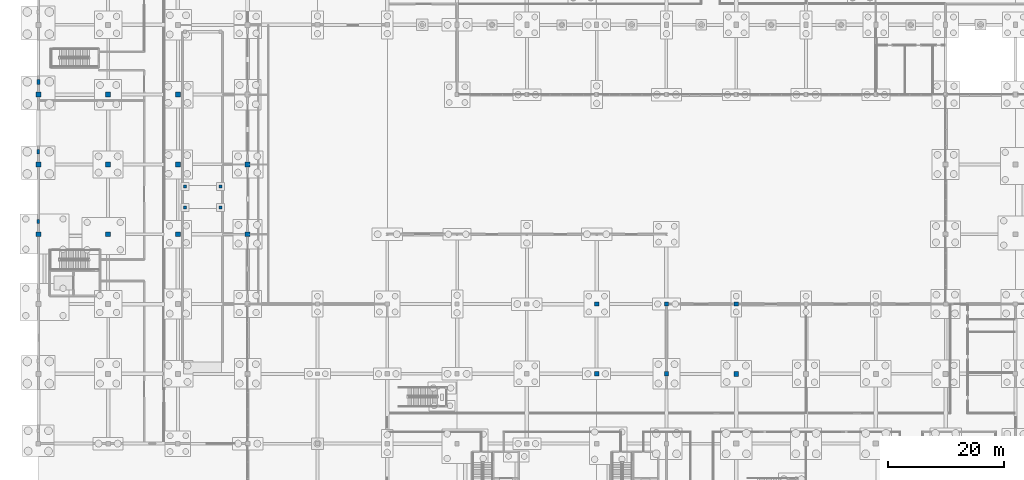
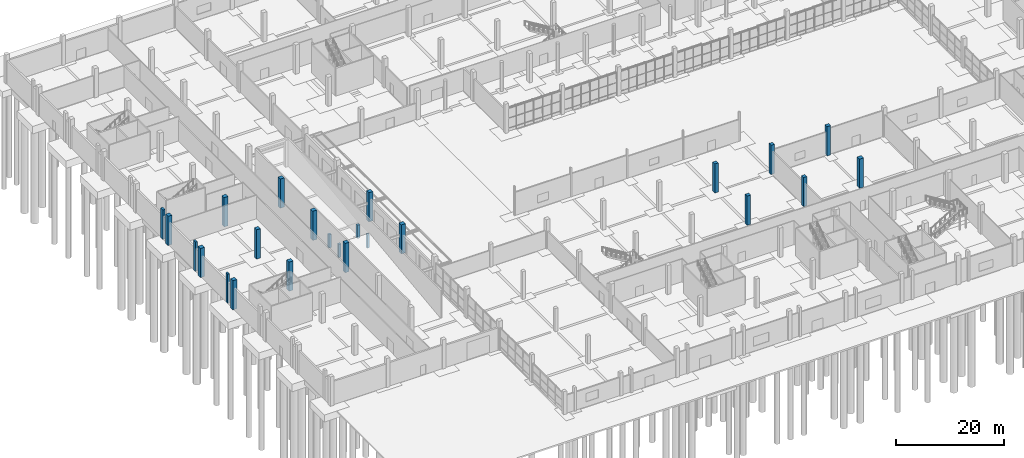
# One storey, part 17 of 117: 24 columns.
"""IFC4 building model written with IfcOpenShell, lengths in metres."""

from ifc_helpers import new_model, si_unit, direction, frame, origin, origin_2d, place, context, subcontext, project, spatial, rectangle, extrude, material, material_profile, profile_set, type_object, element, save


model = new_model("IFC4")

# Units and contexts
model_context = context("Model", 3, precision=1e-05, world=origin(), true_north=direction((0.0, 1.0)))
body_context = subcontext(model_context, "Body", "Model", "MODEL_VIEW")
ifc_project = project(units=[si_unit("LENGTHUNIT", "METRE"), si_unit("AREAUNIT", "SQUARE_METRE"), si_unit("VOLUMEUNIT", "CUBIC_METRE"), si_unit("PLANEANGLEUNIT", "RADIAN"), si_unit("MASSUNIT", "GRAM", prefix="KILO")], contexts=[model_context])

# Site, building, storey
site_placement = place(None, origin())
site = spatial("IfcSite", under=ifc_project, at=site_placement, CompositionType="ELEMENT")
building_placement = place(site_placement, origin())
building = spatial("IfcBuilding", under=site, at=building_placement, Name="Kamomehara Wholesale Market", CompositionType="ELEMENT")
storey_placement = place(building_placement, origin())
storey = spatial("IfcBuildingStorey", under=building, at=storey_placement, Name="L00", CompositionType="ELEMENT", Elevation=0.0)

# Columns
ifc_material_1 = material(Name="Precast concrete Fc45 (C40/50)", Category="concrete")
ifc_material_profile_1 = material_profile(ifc_material_1, rectangle(XDim=0.5, YDim=0.5, at=origin_2d()), Name="PC-COL-500x500")
ifc_profile_set_1 = profile_set([ifc_material_profile_1], Name="Precast concrete Fc45 (C40/50)")
column_type_1 = type_object("IfcColumnType", Name="COL-PC500", PredefinedType="COLUMN", material=ifc_profile_set_1)
for number, where, z_axis, x_axis, name in (
    (1, (25.199951171875, 76.60009765625, 0.0), (0.0, 0.0, 1.0), (1.0, 0.0, 0.0), "Vehicle ramp landing column 25.76"),
    (2, (25.199951171875, 80.199951171875, 0.0), (0.0, 0.0, 1.0), (1.0, 0.0, 0.0), "Vehicle ramp landing column 25.80"),
    (3, (31.300048828125, 76.60009765625, 0.0), (0.0, 0.0, 1.0), (1.0, 0.0, 0.0), "Vehicle ramp landing column 31.76"),
    (4, (31.300048828125, 80.199951171875, 0.0), (0.0, 0.0, 1.0), (1.0, 0.0, 0.0), "Vehicle ramp landing column 31.80"),
):
    element("IfcColumn", number, at=place(storey_placement, frame(where, z_axis=z_axis, x_axis=x_axis)), inside=storey, type_object=column_type_1, Name=name, PredefinedType="COLUMN", context=body_context, shape_type="SweptSolid", body=[
        extrude(rectangle(XDim=0.5, YDim=0.5, at=origin_2d()), origin(), (0.0, 0.0, 1.0), 3.0),
    ])
ifc_material_2 = material(Name="Precast concrete Fc45 (C40/50)", Category="concrete")
ifc_material_profile_2 = material_profile(ifc_material_2, rectangle(XDim=0.75, YDim=0.75, at=origin_2d()), Name="PC-COL-750x750")
ifc_profile_set_2 = profile_set([ifc_material_profile_2], Name="Precast concrete Fc45 (C40/50)")
column_type_2 = type_object("IfcColumnType", Name="COL-PC750-EXT", PredefinedType="COLUMN", material=ifc_profile_set_2)
for number, where, z_axis, x_axis, name in (
    (5, (96.0, 48.0, 0.0), (0.0, 0.0, 1.0), (1.0, 0.0, 0.0), "Column C-04E L00"),
    (6, (96.0, 60.0, 0.0), (0.0, 0.0, 1.0), (1.0, 0.0, 0.0), "Column C-04E L00"),
    (7, (108.0, 48.0, 0.0), (0.0, 0.0, 1.0), (1.0, 0.0, 0.0), "Column C-04E L00"),
    (8, (108.0, 60.0, 0.0), (0.0, 0.0, 1.0), (1.0, 0.0, 0.0), "Column C-04E L00"),
    (9, (120.0, 60.0, 0.0), (0.0, 0.0, 1.0), (1.0, 0.0, 0.0), "Column C-04E L00"),
):
    element("IfcColumn", number, at=place(storey_placement, frame(where, z_axis=z_axis, x_axis=x_axis)), inside=storey, type_object=column_type_2, Name=name, PredefinedType="COLUMN", context=body_context, shape_type="SweptSolid", body=[
        extrude(rectangle(XDim=0.75, YDim=0.75, at=origin_2d()), origin(), (0.0, 0.0, 1.0), 6.60009765625),
    ])
ifc_material_3 = material(Name="Precast concrete Fc45 (C40/50)", Category="concrete")
ifc_material_profile_3 = material_profile(ifc_material_3, rectangle(XDim=0.85009765625, YDim=0.85009765625, at=origin_2d()), Name="PC-COL-850x850")
ifc_profile_set_3 = profile_set([ifc_material_profile_3], Name="Precast concrete Fc45 (C40/50)")
column_type_3 = type_object("IfcColumnType", Name="COL-PC850", PredefinedType="COLUMN", material=ifc_profile_set_3)
for number, where, z_axis, x_axis, name in (
    (10, (12.0, 72.0, 0.0), (0.0, 0.0, 1.0), (1.0, 0.0, 0.0), "Column C-02 L00"),
    (11, (12.0, 84.0, 0.0), (0.0, 0.0, 1.0), (1.0, 0.0, 0.0), "Column C-02 L00"),
    (12, (24.0, 72.0, 0.0), (0.0, 0.0, 1.0), (1.0, 0.0, 0.0), "Column C-02 L00"),
    (13, (24.0, 84.0, 0.0), (0.0, 0.0, 1.0), (1.0, 0.0, 0.0), "Column C-02 L00"),
):
    element("IfcColumn", number, at=place(storey_placement, frame(where, z_axis=z_axis, x_axis=x_axis)), inside=storey, type_object=column_type_3, Name=name, PredefinedType="COLUMN", context=body_context, shape_type="SweptSolid", body=[
        extrude(rectangle(XDim=0.85009765625, YDim=0.85009765625, at=origin_2d()), origin(), (0.0, 0.0, 1.0), 6.60009765625),
    ])
ifc_material_4 = material(Name="Precast concrete Fc45 (C40/50)", Category="concrete")
ifc_material_profile_4 = material_profile(ifc_material_4, rectangle(XDim=0.85009765625, YDim=0.85009765625, at=origin_2d()), Name="PC-COL-850x850")
ifc_profile_set_4 = profile_set([ifc_material_profile_4], Name="Precast concrete Fc45 (C40/50)")
column_type_4 = type_object("IfcColumnType", Name="COL-PC850-EXT", PredefinedType="COLUMN", material=ifc_profile_set_4)
for number, where, z_axis, x_axis, name in (
    (14, (0.0, 72.0, 0.0), (0.0, 0.0, 1.0), (1.0, 0.0, 0.0), "Column C-02E L00"),
    (15, (0.0, 84.0, 0.0), (0.0, 0.0, 1.0), (1.0, 0.0, 0.0), "Column C-02E L00"),
    (16, (0.0, 96.0, 0.0), (0.0, 0.0, 1.0), (1.0, 0.0, 0.0), "Column C-02E L00"),
    (17, (12.0, 96.0, 0.0), (0.0, 0.0, 1.0), (1.0, 0.0, 0.0), "Column C-02E L00"),
    (18, (24.0, 96.0, 0.0), (0.0, 0.0, 1.0), (1.0, 0.0, 0.0), "Column C-02E L00"),
    (19, (36.0, 72.0, 0.0), (0.0, 0.0, 1.0), (1.0, 0.0, 0.0), "Column C-02E L00"),
    (20, (36.0, 84.0, 0.0), (0.0, 0.0, 1.0), (1.0, 0.0, 0.0), "Column C-02E L00"),
    (21, (120.0, 48.0, 0.0), (0.0, 0.0, 1.0), (1.0, 0.0, 0.0), "Column C-02E L00"),
):
    element("IfcColumn", number, at=place(storey_placement, frame(where, z_axis=z_axis, x_axis=x_axis)), inside=storey, type_object=column_type_4, Name=name, PredefinedType="COLUMN", context=body_context, shape_type="SweptSolid", body=[
        extrude(rectangle(XDim=0.85009765625, YDim=0.85009765625, at=origin_2d()), origin(), (0.0, 0.0, 1.0), 6.60009765625),
    ])
ifc_material_5 = material(Name="Precast concrete Fc45 (C40/50)", Category="concrete")
ifc_material_profile_5 = material_profile(ifc_material_5, rectangle(XDim=0.39990234375, YDim=0.64990234375, at=origin_2d()), Name="PC-PIL-400x650")
ifc_profile_set_5 = profile_set([ifc_material_profile_5], Name="Precast concrete Fc45 (C40/50)")
column_type_5 = type_object("IfcColumnType", Name="PIL-PC650-EXT", PredefinedType="PILASTER", material=ifc_profile_set_5)
column_1_placement = place(storey_placement, frame((0.0, 74.199951171875, 0.0), z_axis=(0.0, 0.0, 1.0), x_axis=(1.0, 0.0, 0.0)))
element("IfcColumn", 22, at=column_1_placement, inside=storey, type_object=column_type_5, Name="Column PL-01E L00", PredefinedType="PILASTER", context=body_context, shape_type="SweptSolid", body=[
    extrude(rectangle(XDim=0.39990234375, YDim=0.64990234375, at=origin_2d()), origin(), (0.0, 0.0, 1.0), 6.60009765625),
])
ifc_material_6 = material(Name="Precast concrete Fc45 (C40/50)", Category="concrete")
ifc_material_profile_6 = material_profile(ifc_material_6, rectangle(XDim=0.449951171875, YDim=0.75, at=origin_2d()), Name="PC-PIL-450x750")
ifc_profile_set_6 = profile_set([ifc_material_profile_6], Name="Precast concrete Fc45 (C40/50)")
column_type_6 = type_object("IfcColumnType", Name="PIL-PC750-EXT", PredefinedType="PILASTER", material=ifc_profile_set_6)
column_2_placement = place(storey_placement, frame((0.0, 86.199951171875, 0.0), z_axis=(0.0, 0.0, 1.0), x_axis=(1.0, 0.0, 0.0)))
element("IfcColumn", 23, at=column_2_placement, inside=storey, type_object=column_type_6, Name="Column PL-02E L00", PredefinedType="PILASTER", context=body_context, shape_type="SweptSolid", body=[
    extrude(rectangle(XDim=0.449951171875, YDim=0.75, at=origin_2d()), origin(), (0.0, 0.0, 1.0), 6.60009765625),
])
ifc_material_7 = material(Name="Precast concrete Fc45 (C40/50)", Category="concrete")
ifc_material_profile_7 = material_profile(ifc_material_7, rectangle(XDim=0.5, YDim=0.85009765625, at=origin_2d()), Name="PC-PIL-500x850")
ifc_profile_set_7 = profile_set([ifc_material_profile_7], Name="Precast concrete Fc45 (C40/50)")
column_type_7 = type_object("IfcColumnType", Name="PIL-PC850-EXT", PredefinedType="PILASTER", material=ifc_profile_set_7)
column_3_placement = place(storey_placement, frame((0.0, 98.199951171875, 0.0), z_axis=(0.0, 0.0, 1.0), x_axis=(1.0, 0.0, 0.0)))
element("IfcColumn", 24, at=column_3_placement, inside=storey, type_object=column_type_7, Name="Column PL-03E L00", PredefinedType="PILASTER", context=body_context, shape_type="SweptSolid", body=[
    extrude(rectangle(XDim=0.5, YDim=0.85009765625, at=origin_2d()), origin(), (0.0, 0.0, 1.0), 6.60009765625),
])

save(model, "model.ifc")
